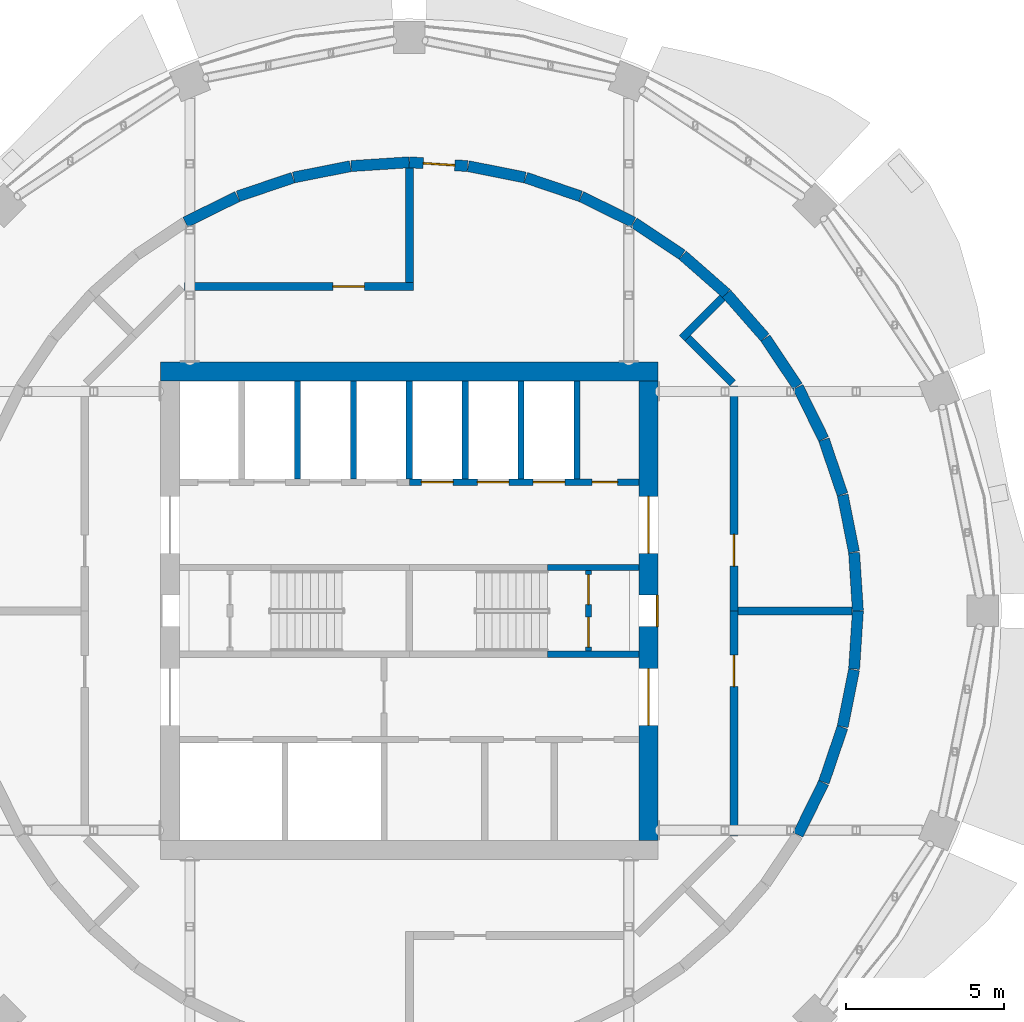
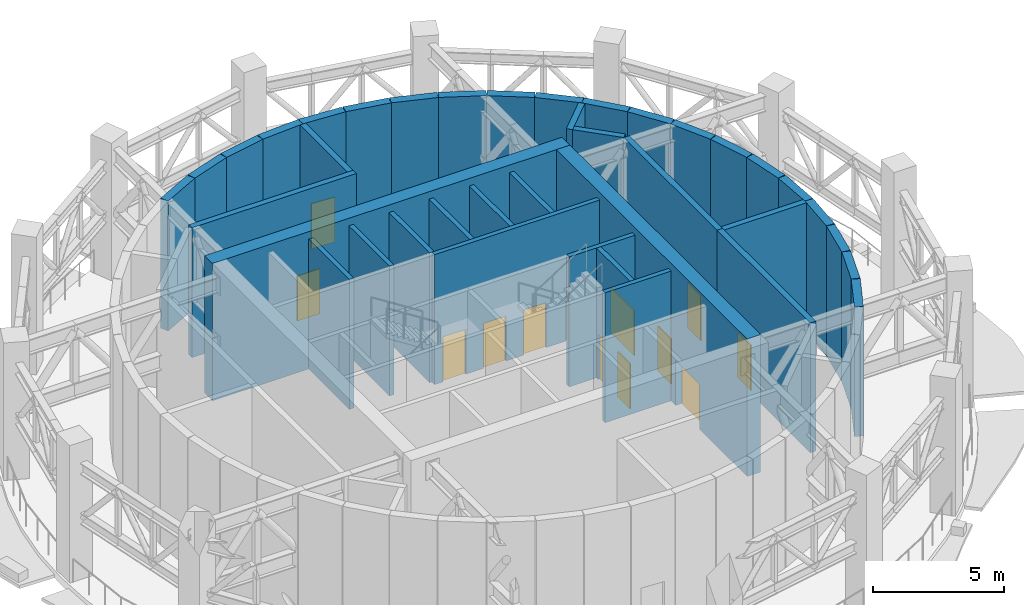
# One storey, part 9 of 14: 39 walls, 13 doors, 13 openings.
"""IFC4 building model written with IfcOpenShell, lengths in metres."""

from ifc_helpers import new_model, si_unit, direction, frame, frame_2d, origin, place, context, subcontext, project, spatial, rectangle, extrude, material, layer, layer_set, type_object, element, fill, save


model = new_model("IFC4")

# Units and contexts
model_context = context("Model", 3, precision=1e-05, world=origin(), true_north=direction((0.0, 1.0)))
body_context = subcontext(model_context, "Body", "Model", "MODEL_VIEW")
ifc_project = project(units=[si_unit("LENGTHUNIT", "METRE"), si_unit("AREAUNIT", "SQUARE_METRE"), si_unit("VOLUMEUNIT", "CUBIC_METRE"), si_unit("PLANEANGLEUNIT", "RADIAN"), si_unit("MASSUNIT", "GRAM", prefix="KILO")], contexts=[model_context])

# Site, building, storey
site_placement = place(None, origin())
site = spatial("IfcSite", under=ifc_project, at=site_placement, CompositionType="ELEMENT")
building_placement = place(site_placement, origin())
building = spatial("IfcBuilding", under=site, at=building_placement, Name="Polderwave Tower", CompositionType="ELEMENT")
storey_placement = place(building_placement, frame((0.0, 0.0, 161.14990234375)))
storey = spatial("IfcBuildingStorey", under=building, at=storey_placement, Name="L43", CompositionType="ELEMENT", Elevation=161.14990234375)

# Wall
ifc_material_1 = material(Name="Concrete C60/75", Category="concrete")
ifc_layer_1 = layer(ifc_material_1, 0.60009765625)
ifc_layer_set_1 = layer_set([ifc_layer_1], Name="CORE WALL 600 C60/75")
wall_type_1 = type_object("IfcWallType", Name="CORE WALL 600 C60/75", PredefinedType="SHEAR", material=ifc_layer_set_1)
wall_1_placement = place(storey_placement, frame((-7.8740234375, 7.573974609375, 0.0), z_axis=(0.0, 0.0, 1.0), x_axis=(1.0, 0.0, 0.0)))
element("IfcWall", 1, at=wall_1_placement, inside=storey, type_object=wall_type_1, Name="ST-CORE-L43-N", PredefinedType="SHEAR", context=body_context, shape_type="SweptSolid", body=[
    extrude(rectangle(XDim=15.748046875, YDim=0.60009765625, at=frame_2d((7.8740234375, 0.0))), origin(), (0.0, 0.0, 1.0), 6.400146484375),
])

# Wall, openings, doors
wall_2_placement = place(storey_placement, frame((7.573974609375, -7.27392578125, 0.0), z_axis=(0.0, 0.0, 1.0), x_axis=(0.0, 1.0, 0.0)))
wall_2 = element("IfcWall", 2, at=wall_2_placement, inside=storey, type_object=wall_type_1, Name="ST-CORE-L43-E", PredefinedType="SHEAR", context=body_context, shape_type="SweptSolid", body=[
    extrude(rectangle(XDim=14.5478515625, YDim=0.60009765625, at=frame_2d((7.27392578125, 0.0))), origin(), (0.0, 0.0, 1.0), 6.400146484375),
])
opening_1_placement = place(wall_2_placement, frame((6.77392578125, 0.0, 0.0)))
opening_1 = element("IfcOpeningElement", 3, at=opening_1_placement, cuts=wall_2, Name="Opening L43-D22", PredefinedType="OPENING", context=body_context, shape_type="SweptSolid", body=[
    extrude(rectangle(XDim=1.0, YDim=2.10009765625, at=frame_2d((0.5, 1.050048828125))), frame((0.0, 0.31005859375, 0.0), z_axis=(0.0, -1.0, 0.0), x_axis=(1.0, 0.0, 0.0)), (0.0, 0.0, 1.0), 0.6201171875),
])
opening_2_placement = place(wall_2_placement, frame((3.6494140625, 0.0, 0.0)))
opening_2 = element("IfcOpeningElement", 4, at=opening_2_placement, cuts=wall_2, Name="Opening L43-D23", PredefinedType="OPENING", context=body_context, shape_type="SweptSolid", body=[
    extrude(rectangle(XDim=1.800048828125, YDim=2.10009765625, at=frame_2d((0.89990234375, 1.050048828125))), frame((0.0, 0.31005859375, 0.0), z_axis=(0.0, -1.0, 0.0), x_axis=(1.0, 0.0, 0.0)), (0.0, 0.0, 1.0), 0.6201171875),
])
opening_3_placement = place(wall_2_placement, frame((9.098388671875, 0.0, 0.0)))
opening_3 = element("IfcOpeningElement", 5, at=opening_3_placement, cuts=wall_2, Name="Opening L43-D24", PredefinedType="OPENING", context=body_context, shape_type="SweptSolid", body=[
    extrude(rectangle(XDim=1.800048828125, YDim=2.10009765625, at=frame_2d((0.89990234375, 1.050048828125))), frame((0.0, 0.31005859375, 0.0), z_axis=(0.0, -1.0, 0.0), x_axis=(1.0, 0.0, 0.0)), (0.0, 0.0, 1.0), 0.6201171875),
])
ifc_material_2 = material(Name="Steel fire door", Category="steel")
door_type_1 = type_object("IfcDoorType", Name="Lobby entry door pair 1800", OperationType="DOUBLE_DOOR_SINGLE_SWING", PredefinedType="DOOR", material=ifc_material_2)
door_1_placement = place(opening_2_placement, frame((1.800048828125, 0.0, 0.0), z_axis=(0.0, 0.0, 1.0), x_axis=(-1.0, 0.0, 0.0)))
door_1 = element("IfcDoor", 6, at=door_1_placement, inside=storey, type_object=door_type_1, Name="South lobby entry door", OperationType="DOUBLE_DOOR_SINGLE_SWING", OverallHeight=2.10009765625, OverallWidth=1.800048828125, PredefinedType="DOOR", context=body_context, shape_type="SweptSolid", body=[
    extrude(rectangle(XDim=1.800048828125, YDim=2.10009765625, at=frame_2d((0.89990234375, 1.050048828125))), frame((0.0, 0.02490234375, 0.0), z_axis=(0.0, -1.0, 0.0), x_axis=(1.0, 0.0, 0.0)), (0.0, 0.0, 1.0), 0.050048828125),
])
fill(opening_2, door_1)
door_2_placement = place(opening_3_placement, frame((1.800048828125, 0.0, 0.0), z_axis=(0.0, 0.0, 1.0), x_axis=(-1.0, 0.0, 0.0)))
door_2 = element("IfcDoor", 7, at=door_2_placement, inside=storey, type_object=door_type_1, Name="North lobby entry door", OperationType="DOUBLE_DOOR_SINGLE_SWING", OverallHeight=2.10009765625, OverallWidth=1.800048828125, PredefinedType="DOOR", context=body_context, shape_type="SweptSolid", body=[
    extrude(rectangle(XDim=1.800048828125, YDim=2.10009765625, at=frame_2d((0.89990234375, 1.050048828125))), frame((0.0, 0.02490234375, 0.0), z_axis=(0.0, -1.0, 0.0), x_axis=(1.0, 0.0, 0.0)), (0.0, 0.0, 1.0), 0.050048828125),
])
fill(opening_3, door_2)
door_type_2 = type_object("IfcDoorType", Name="Stair door 1000", OperationType="NOTDEFINED", PredefinedType="DOOR", material=ifc_material_2)
door_3_placement = place(opening_1_placement, frame((1.0, 0.0, 0.0), z_axis=(0.0, 0.0, 1.0), x_axis=(-1.0, 0.0, 0.0)))
door_3 = element("IfcDoor", 8, at=door_3_placement, inside=storey, type_object=door_type_2, Name="Stair B entry door", OperationType="SINGLE_SWING_LEFT", OverallHeight=2.10009765625, OverallWidth=1.0, PredefinedType="DOOR", context=body_context, shape_type="SweptSolid", body=[
    extrude(rectangle(XDim=1.0, YDim=2.10009765625, at=frame_2d((0.5, 1.050048828125))), frame((0.0, 0.2998046875, 0.0), z_axis=(0.0, -1.0, 0.0), x_axis=(1.0, 0.0, 0.0)), (0.0, 0.0, 1.0), 0.050048828125),
])
fill(opening_1, door_3)

ifc_material_3 = material(Name="Gypsum board partition")
ifc_layer_2 = layer(ifc_material_3, 0.199951171875)
ifc_layer_set_2 = layer_set([ifc_layer_2], Name="Core room partition 200")
wall_type_2 = type_object("IfcWallType", Name="Core room partition 200", PredefinedType="PARTITIONING", material=ifc_layer_set_2)
wall_3_placement = place(storey_placement, frame((5.674072265625, -1.27490234375, 0.0), z_axis=(0.0, 0.0, 1.0), x_axis=(0.0, 1.0, 0.0)))
wall_3 = element("IfcWall", 9, at=wall_3_placement, inside=storey, type_object=wall_type_2, Name="L43 smoke lobby wall B", PredefinedType="PARTITIONING", context=body_context, shape_type="SweptSolid", body=[
    extrude(rectangle(XDim=2.5498046875, YDim=0.199951171875, at=frame_2d((1.27490234375, 0.0))), origin(), (0.0, 0.0, 1.0), 6.050048828125),
])
opening_4_placement = place(wall_3_placement, frame((0.125, 0.0, 0.0)))
opening_4 = element("IfcOpeningElement", 10, at=opening_4_placement, cuts=wall_3, Name="Opening L43-D12", PredefinedType="OPENING", context=body_context, shape_type="SweptSolid", body=[
    extrude(rectangle(XDim=0.949951171875, YDim=2.10009765625, at=frame_2d((0.47509765625, 1.050048828125))), frame((0.0, 0.10986328125, 0.0), z_axis=(0.0, -1.0, 0.0), x_axis=(1.0, 0.0, 0.0)), (0.0, 0.0, 1.0), 0.219970703125),
])
opening_5_placement = place(wall_3_placement, frame((1.47509765625, 0.0, 0.0)))
opening_5 = element("IfcOpeningElement", 11, at=opening_5_placement, cuts=wall_3, Name="Opening L43-D13", PredefinedType="OPENING", context=body_context, shape_type="SweptSolid", body=[
    extrude(rectangle(XDim=0.949951171875, YDim=2.10009765625, at=frame_2d((0.47509765625, 1.050048828125))), frame((0.0, 0.10986328125, 0.0), z_axis=(0.0, -1.0, 0.0), x_axis=(1.0, 0.0, 0.0)), (0.0, 0.0, 1.0), 0.219970703125),
])
door_type_3 = type_object("IfcDoorType", Name="Smoke lobby door 950", OperationType="NOTDEFINED", PredefinedType="DOOR", material=ifc_material_2)
door_4_placement = place(opening_4_placement, frame((0.949951171875, 0.0, 0.0), z_axis=(0.0, 0.0, 1.0), x_axis=(-1.0, 0.0, 0.0)))
door_4 = element("IfcDoor", 12, at=door_4_placement, inside=storey, type_object=door_type_3, Name="Stair B smoke lobby inner door", OperationType="SINGLE_SWING_RIGHT", OverallHeight=2.10009765625, OverallWidth=0.949951171875, PredefinedType="DOOR", context=body_context, shape_type="SweptSolid", body=[
    extrude(rectangle(XDim=0.949951171875, YDim=2.10009765625, at=frame_2d((0.47509765625, 1.050048828125))), frame((0.0, 0.02490234375, 0.0), z_axis=(0.0, -1.0, 0.0), x_axis=(1.0, 0.0, 0.0)), (0.0, 0.0, 1.0), 0.050048828125),
])
fill(opening_4, door_4)
door_5_placement = place(opening_5_placement, frame((0.949951171875, 0.0, 0.0), z_axis=(0.0, 0.0, 1.0), x_axis=(-1.0, 0.0, 0.0)))
door_5 = element("IfcDoor", 13, at=door_5_placement, inside=storey, type_object=door_type_3, Name="Stair B smoke lobby inner door", OperationType="SINGLE_SWING_LEFT", OverallHeight=2.10009765625, OverallWidth=0.949951171875, PredefinedType="DOOR", context=body_context, shape_type="SweptSolid", body=[
    extrude(rectangle(XDim=0.949951171875, YDim=2.10009765625, at=frame_2d((0.47509765625, 1.050048828125))), frame((0.0, 0.02490234375, 0.0), z_axis=(0.0, -1.0, 0.0), x_axis=(1.0, 0.0, 0.0)), (0.0, 0.0, 1.0), 0.050048828125),
])
fill(opening_5, door_5)

ifc_material_4 = material(Name="Concrete C50/60", Category="concrete")
ifc_layer_3 = layer(ifc_material_4, 0.199951171875)
ifc_layer_set_3 = layer_set([ifc_layer_3], Name="Core web wall 200")
wall_type_3 = type_object("IfcWallType", Name="Core web wall 200", PredefinedType="SHEAR", material=ifc_layer_set_3)
wall_4_placement = place(storey_placement, frame((0.0, 4.073974609375, 0.0), z_axis=(0.0, 0.0, 1.0), x_axis=(1.0, 0.0, 0.0)))
wall_4 = element("IfcWall", 14, at=wall_4_placement, inside=storey, type_object=wall_type_3, Name="L43 north front wall 2", PredefinedType="SHEAR", context=body_context, shape_type="SweptSolid", body=[
    extrude(rectangle(XDim=7.27392578125, YDim=0.199951171875, at=frame_2d((3.636962890625, 0.0))), origin(), (0.0, 0.0, 1.0), 6.050048828125),
])
opening_6_placement = place(wall_4_placement, frame((0.38427734375, 0.0, 0.0)))
opening_6 = element("IfcOpeningElement", 15, at=opening_6_placement, cuts=wall_4, Name="Opening L43-D07", PredefinedType="OPENING", context=body_context, shape_type="SweptSolid", body=[
    extrude(rectangle(XDim=1.0, YDim=2.10009765625, at=frame_2d((0.5, 1.050048828125))), frame((0.0, 0.10986328125, 0.0), z_axis=(0.0, -1.0, 0.0), x_axis=(1.0, 0.0, 0.0)), (0.0, 0.0, 1.0), 0.219970703125),
])
opening_7_placement = place(wall_4_placement, frame((2.15283203125, 0.0, 0.0)))
opening_7 = element("IfcOpeningElement", 16, at=opening_7_placement, cuts=wall_4, Name="Opening L43-D08", PredefinedType="OPENING", context=body_context, shape_type="SweptSolid", body=[
    extrude(rectangle(XDim=1.0, YDim=2.10009765625, at=frame_2d((0.5, 1.050048828125))), frame((0.0, 0.10986328125, 0.0), z_axis=(0.0, -1.0, 0.0), x_axis=(1.0, 0.0, 0.0)), (0.0, 0.0, 1.0), 0.219970703125),
])
opening_8_placement = place(wall_4_placement, frame((3.921142578125, 0.0, 0.0)))
opening_8 = element("IfcOpeningElement", 17, at=opening_8_placement, cuts=wall_4, Name="Opening L43-D09", PredefinedType="OPENING", context=body_context, shape_type="SweptSolid", body=[
    extrude(rectangle(XDim=1.0, YDim=2.10009765625, at=frame_2d((0.5, 1.050048828125))), frame((0.0, 0.10986328125, 0.0), z_axis=(0.0, -1.0, 0.0), x_axis=(1.0, 0.0, 0.0)), (0.0, 0.0, 1.0), 0.219970703125),
])
opening_9_placement = place(wall_4_placement, frame((5.789794921875, 0.0, 0.0)))
opening_9 = element("IfcOpeningElement", 18, at=opening_9_placement, cuts=wall_4, Name="Opening L43-D18", PredefinedType="OPENING", context=body_context, shape_type="SweptSolid", body=[
    extrude(rectangle(XDim=0.800048828125, YDim=2.10009765625, at=frame_2d((0.39990234375, 1.050048828125))), frame((0.0, 0.10986328125, 0.0), z_axis=(0.0, -1.0, 0.0), x_axis=(1.0, 0.0, 0.0)), (0.0, 0.0, 1.0), 0.219970703125),
])
ifc_material_5 = material(Name="Stainless steel", Category="steel")
door_type_4 = type_object("IfcDoorType", Name="Lift landing door 1000", OperationType="DOUBLE_DOOR_SLIDING", PredefinedType="DOOR", material=ifc_material_5)
door_6_placement = place(opening_6_placement, frame((1.0, 0.0, 0.0), z_axis=(0.0, 0.0, 1.0), x_axis=(-1.0, 0.0, 0.0)))
door_6 = element("IfcDoor", 19, at=door_6_placement, inside=storey, type_object=door_type_4, Name="Lift HL5 landing door", OperationType="DOUBLE_DOOR_SLIDING", OverallHeight=2.10009765625, OverallWidth=1.0, PredefinedType="DOOR", context=body_context, shape_type="SweptSolid", body=[
    extrude(rectangle(XDim=1.0, YDim=2.10009765625, at=frame_2d((0.5, 1.050048828125))), frame((0.0, 0.02490234375, 0.0), z_axis=(0.0, -1.0, 0.0), x_axis=(1.0, 0.0, 0.0)), (0.0, 0.0, 1.0), 0.050048828125),
])
fill(opening_6, door_6)
door_7_placement = place(opening_7_placement, frame((1.0, 0.0, 0.0), z_axis=(0.0, 0.0, 1.0), x_axis=(-1.0, 0.0, 0.0)))
door_7 = element("IfcDoor", 20, at=door_7_placement, inside=storey, type_object=door_type_4, Name="Lift HL6 landing door", OperationType="DOUBLE_DOOR_SLIDING", OverallHeight=2.10009765625, OverallWidth=1.0, PredefinedType="DOOR", context=body_context, shape_type="SweptSolid", body=[
    extrude(rectangle(XDim=1.0, YDim=2.10009765625, at=frame_2d((0.5, 1.050048828125))), frame((0.0, 0.02490234375, 0.0), z_axis=(0.0, -1.0, 0.0), x_axis=(1.0, 0.0, 0.0)), (0.0, 0.0, 1.0), 0.050048828125),
])
fill(opening_7, door_7)
door_8_placement = place(opening_8_placement, frame((1.0, 0.0, 0.0), z_axis=(0.0, 0.0, 1.0), x_axis=(-1.0, 0.0, 0.0)))
door_8 = element("IfcDoor", 21, at=door_8_placement, inside=storey, type_object=door_type_4, Name="Lift HL7 landing door", OperationType="DOUBLE_DOOR_SLIDING", OverallHeight=2.10009765625, OverallWidth=1.0, PredefinedType="DOOR", context=body_context, shape_type="SweptSolid", body=[
    extrude(rectangle(XDim=1.0, YDim=2.10009765625, at=frame_2d((0.5, 1.050048828125))), frame((0.0, 0.02490234375, 0.0), z_axis=(0.0, -1.0, 0.0), x_axis=(1.0, 0.0, 0.0)), (0.0, 0.0, 1.0), 0.050048828125),
])
fill(opening_8, door_8)
door_type_5 = type_object("IfcDoorType", Name="Riser door 800", OperationType="NOTDEFINED", PredefinedType="DOOR", material=ifc_material_2)
door_9_placement = place(opening_9_placement, frame((0.800048828125, 0.0, 0.0), z_axis=(0.0, 0.0, 1.0), x_axis=(-1.0, 0.0, 0.0)))
door_9 = element("IfcDoor", 22, at=door_9_placement, inside=storey, type_object=door_type_5, Name="Riser door", OperationType="SINGLE_SWING_LEFT", OverallHeight=2.10009765625, OverallWidth=0.800048828125, PredefinedType="DOOR", context=body_context, shape_type="SweptSolid", body=[
    extrude(rectangle(XDim=0.800048828125, YDim=2.10009765625, at=frame_2d((0.39990234375, 1.050048828125))), frame((0.0, 0.02490234375, 0.0), z_axis=(0.0, -1.0, 0.0), x_axis=(1.0, 0.0, 0.0)), (0.0, 0.0, 1.0), 0.050048828125),
])
fill(opening_9, door_9)

# Walls
for number, where, z_axis, x_axis, name in (
    (23, (4.3740234375, -1.375, 0.0), (0.0, 0.0, 1.0), (1.0, 0.0, 0.0), "L43 south stair wall 4"),
    (24, (4.3740234375, 1.375, 0.0), (0.0, 0.0, 1.0), (1.0, 0.0, 0.0), "L43 north stair wall 4"),
):
    element("IfcWall", number, at=place(storey_placement, frame(where, z_axis=z_axis, x_axis=x_axis)), inside=storey, type_object=wall_type_3, Name=name, PredefinedType="SHEAR", context=body_context, shape_type="SweptSolid", body=[
        extrude(rectangle(XDim=2.89990234375, YDim=0.199951171875, at=frame_2d((1.449951171875, 0.0))), origin(), (0.0, 0.0, 1.0), 6.050048828125),
    ])
ifc_material_6 = material(Name="Insulated metal rainscreen on fire-resisting board")
ifc_layer_4 = layer(ifc_material_6, 0.35009765625)
ifc_layer_set_4 = layer_set([ifc_layer_4], Name="Plant enclosure wall 350 mm EI 120")
wall_type_4 = type_object("IfcWallType", Name="Plant enclosure wall 350 mm EI 120", PredefinedType="PARTITIONING", material=ifc_layer_set_4)
wall_5_placement = place(storey_placement, frame((10.041015625, 10.041015625, 0.0), z_axis=(0.0, 0.0, 1.0), x_axis=(0.65930012123, -0.751879877471, 0.0)))
element("IfcWall", 25, at=wall_5_placement, inside=storey, type_object=wall_type_4, Name="IN-L43-W013", PredefinedType="PARTITIONING", context=body_context, shape_type="SweptSolid", body=[
    extrude(rectangle(XDim=1.845947265625, YDim=0.35009765625, at=frame_2d((0.9228515625, 0.0))), origin(), (0.0, 0.0, 1.0), 6.050048828125),
])
wall_6_placement = place(storey_placement, frame((11.27197265625, 8.635009765625, 0.0), z_axis=(0.0, 0.0, 1.0), x_axis=(0.555590461072, -0.831456095994, 0.0)))
element("IfcWall", 26, at=wall_6_placement, inside=storey, type_object=wall_type_4, Name="IN-L43-W014", PredefinedType="PARTITIONING", context=body_context, shape_type="SweptSolid", body=[
    extrude(rectangle(XDim=1.834716796875, YDim=0.35009765625, at=frame_2d((0.91748046875, 0.0))), origin(), (0.0, 0.0, 1.0), 6.050048828125),
])
for number, where, z_axis, x_axis, name in (
    (27, (12.302734375, 7.089599609375, 0.0), (0.0, 0.0, 1.0), (0.442255821409, -0.896888949887, 0.0), "IN-L43-W015"),
    (28, (13.122802734375, 5.423095703125, 0.0), (0.0, 0.0, 1.0), (0.321413562404, -0.946938921949, 0.0), "IN-L43-W016"),
):
    element("IfcWall", number, at=place(storey_placement, frame(where, z_axis=z_axis, x_axis=x_axis)), inside=storey, type_object=wall_type_4, Name=name, PredefinedType="PARTITIONING", context=body_context, shape_type="SweptSolid", body=[
        extrude(rectangle(XDim=1.83447265625, YDim=0.35009765625, at=frame_2d((0.917236328125, 0.0))), origin(), (0.0, 0.0, 1.0), 6.050048828125),
    ])
wall_7_placement = place(storey_placement, frame((13.71826171875, 3.6640625, 0.0), z_axis=(0.0, 0.0, 1.0), x_axis=(0.195220359262, -0.980759405425, 0.0)))
element("IfcWall", 29, at=wall_7_placement, inside=storey, type_object=wall_type_4, Name="IN-L43-W017", PredefinedType="PARTITIONING", context=body_context, shape_type="SweptSolid", body=[
    extrude(rectangle(XDim=1.834716796875, YDim=0.35009765625, at=frame_2d((0.91748046875, 0.0))), origin(), (0.0, 0.0, 1.0), 6.050048828125),
])
wall_8_placement = place(storey_placement, frame((14.079345703125, 1.842041015625, 0.0), z_axis=(0.0, 0.0, 1.0), x_axis=(0.065333936019, -0.997863455992, 0.0)))
element("IfcWall", 30, at=wall_8_placement, inside=storey, type_object=wall_type_4, Name="IN-L43-W018", PredefinedType="PARTITIONING", context=body_context, shape_type="SweptSolid", body=[
    extrude(rectangle(XDim=1.845947265625, YDim=0.35009765625, at=frame_2d((0.9228515625, 0.0))), origin(), (0.0, 0.0, 1.0), 6.050048828125),
])

# Wall, opening, door
wall_9_placement = place(storey_placement, frame((1.842041015625, 14.079345703125, 0.0), z_axis=(0.0, 0.0, 1.0), x_axis=(-0.997863455992, 0.065333936019, 0.0)))
wall_9 = element("IfcWall", 31, at=wall_9_placement, inside=storey, type_object=wall_type_4, Name="IN-L43-W021", PredefinedType="PARTITIONING", context=body_context, shape_type="SweptSolid", body=[
    extrude(rectangle(XDim=1.845947265625, YDim=0.35009765625, at=frame_2d((0.9228515625, 0.0))), origin(), (0.0, 0.0, 1.0), 6.050048828125),
])
opening_10_placement = place(wall_9_placement, frame((0.39990234375, 0.0, 0.0)))
opening_10 = element("IfcOpeningElement", 32, at=opening_10_placement, cuts=wall_9, Name="Opening L43-D56", PredefinedType="OPENING", context=body_context, shape_type="SweptSolid", body=[
    extrude(rectangle(XDim=1.0, YDim=2.10009765625, at=frame_2d((0.5, 1.050048828125))), frame((0.0, 0.18505859375, 0.0), z_axis=(0.0, -1.0, 0.0), x_axis=(1.0, 0.0, 0.0)), (0.0, 0.0, 1.0), 0.3701171875),
])
ifc_material_7 = material(Name="Steel plant door leaf", Category="steel")
door_type_6 = type_object("IfcDoorType", Name="Plant door FD60 1000 x 2100 steel", OperationType="NOTDEFINED", PredefinedType="DOOR", material=ifc_material_7)
door_10_placement = place(opening_10_placement, origin())
door_10 = element("IfcDoor", 33, at=door_10_placement, inside=storey, type_object=door_type_6, Name="Door L43-D56", OperationType="SINGLE_SWING_LEFT", OverallHeight=2.10009765625, OverallWidth=1.0, PredefinedType="DOOR", context=body_context, shape_type="SweptSolid", body=[
    extrude(rectangle(XDim=1.0, YDim=2.10009765625, at=frame_2d((0.5, 1.050048828125))), frame((0.0, 0.02490234375, 0.0), z_axis=(0.0, -1.0, 0.0), x_axis=(1.0, 0.0, 0.0)), (0.0, 0.0, 1.0), 0.050048828125),
])
fill(opening_10, door_10)

# Walls
wall_10_placement = place(storey_placement, frame((1.86474609375, 14.076416015625, 0.0), z_axis=(0.0, 0.0, 1.0), x_axis=(0.980759405425, -0.195220359262, 0.0)))
element("IfcWall", 34, at=wall_10_placement, inside=storey, type_object=wall_type_4, Name="IN-L43-W022", PredefinedType="PARTITIONING", context=body_context, shape_type="SweptSolid", body=[
    extrude(rectangle(XDim=1.834716796875, YDim=0.35009765625, at=frame_2d((0.91748046875, 0.0))), origin(), (0.0, 0.0, 1.0), 6.050048828125),
])
for number, where, z_axis, x_axis, name in (
    (35, (3.68603515625, 13.71240234375, 0.0), (0.0, 0.0, 1.0), (0.946938921949, -0.321413562404, 0.0), "IN-L43-W023"),
    (36, (5.4443359375, 13.114013671875, 0.0), (0.0, 0.0, 1.0), (0.896888949887, -0.442255821409, 0.0), "IN-L43-W024"),
):
    element("IfcWall", number, at=place(storey_placement, frame(where, z_axis=z_axis, x_axis=x_axis)), inside=storey, type_object=wall_type_4, Name=name, PredefinedType="PARTITIONING", context=body_context, shape_type="SweptSolid", body=[
        extrude(rectangle(XDim=1.83447265625, YDim=0.35009765625, at=frame_2d((0.917236328125, 0.0))), origin(), (0.0, 0.0, 1.0), 6.050048828125),
    ])
wall_11_placement = place(storey_placement, frame((7.109619140625, 12.291259765625, 0.0), z_axis=(0.0, 0.0, 1.0), x_axis=(0.831456095994, -0.555590461072, 0.0)))
element("IfcWall", 37, at=wall_11_placement, inside=storey, type_object=wall_type_4, Name="IN-L43-W025", PredefinedType="PARTITIONING", context=body_context, shape_type="SweptSolid", body=[
    extrude(rectangle(XDim=1.834716796875, YDim=0.35009765625, at=frame_2d((0.91748046875, 0.0))), origin(), (0.0, 0.0, 1.0), 6.050048828125),
])
wall_12_placement = place(storey_placement, frame((8.653076171875, 11.258056640625, 0.0), z_axis=(0.0, 0.0, 1.0), x_axis=(0.751879877471, -0.65930012123, 0.0)))
element("IfcWall", 38, at=wall_12_placement, inside=storey, type_object=wall_type_4, Name="IN-L43-W026", PredefinedType="PARTITIONING", context=body_context, shape_type="SweptSolid", body=[
    extrude(rectangle(XDim=1.845947265625, YDim=0.35009765625, at=frame_2d((0.9228515625, 0.0))), origin(), (0.0, 0.0, 1.0), 6.050048828125),
])
for number, where, z_axis, x_axis, name in (
    (39, (-7.089599609375, 12.302734375, 0.0), (0.0, 0.0, 1.0), (0.896888949887, 0.442255821409, 0.0), "IN-L43-W030"),
    (40, (-5.423095703125, 13.122802734375, 0.0), (0.0, 0.0, 1.0), (0.946938921949, 0.321413562404, 0.0), "IN-L43-W031"),
):
    element("IfcWall", number, at=place(storey_placement, frame(where, z_axis=z_axis, x_axis=x_axis)), inside=storey, type_object=wall_type_4, Name=name, PredefinedType="PARTITIONING", context=body_context, shape_type="SweptSolid", body=[
        extrude(rectangle(XDim=1.83447265625, YDim=0.35009765625, at=frame_2d((0.917236328125, 0.0))), origin(), (0.0, 0.0, 1.0), 6.050048828125),
    ])
wall_13_placement = place(storey_placement, frame((-3.6640625, 13.71826171875, 0.0), z_axis=(0.0, 0.0, 1.0), x_axis=(0.980759405425, 0.195220359262, 0.0)))
element("IfcWall", 41, at=wall_13_placement, inside=storey, type_object=wall_type_4, Name="IN-L43-W032", PredefinedType="PARTITIONING", context=body_context, shape_type="SweptSolid", body=[
    extrude(rectangle(XDim=1.834716796875, YDim=0.35009765625, at=frame_2d((0.91748046875, 0.0))), origin(), (0.0, 0.0, 1.0), 6.050048828125),
])
wall_14_placement = place(storey_placement, frame((-1.842041015625, 14.079345703125, 0.0), z_axis=(0.0, 0.0, 1.0), x_axis=(0.997863455992, 0.065333936019, 0.0)))
element("IfcWall", 42, at=wall_14_placement, inside=storey, type_object=wall_type_4, Name="IN-L43-W033", PredefinedType="PARTITIONING", context=body_context, shape_type="SweptSolid", body=[
    extrude(rectangle(XDim=1.845947265625, YDim=0.35009765625, at=frame_2d((0.9228515625, 0.0))), origin(), (0.0, 0.0, 1.0), 6.050048828125),
])
for number, where, z_axis, x_axis, name in (
    (43, (13.114013671875, -5.4443359375, 0.0), (0.0, 0.0, 1.0), (-0.442255821409, -0.896888949887, 0.0), "IN-L43-W065"),
    (44, (13.71240234375, -3.68603515625, 0.0), (0.0, 0.0, 1.0), (-0.321413562404, -0.946938921949, 0.0), "IN-L43-W066"),
):
    element("IfcWall", number, at=place(storey_placement, frame(where, z_axis=z_axis, x_axis=x_axis)), inside=storey, type_object=wall_type_4, Name=name, PredefinedType="PARTITIONING", context=body_context, shape_type="SweptSolid", body=[
        extrude(rectangle(XDim=1.83447265625, YDim=0.35009765625, at=frame_2d((0.917236328125, 0.0))), origin(), (0.0, 0.0, 1.0), 6.050048828125),
    ])
wall_15_placement = place(storey_placement, frame((14.076416015625, -1.86474609375, 0.0), z_axis=(0.0, 0.0, 1.0), x_axis=(-0.195220359262, -0.980759405425, 0.0)))
element("IfcWall", 45, at=wall_15_placement, inside=storey, type_object=wall_type_4, Name="IN-L43-W067", PredefinedType="PARTITIONING", context=body_context, shape_type="SweptSolid", body=[
    extrude(rectangle(XDim=1.834716796875, YDim=0.35009765625, at=frame_2d((0.91748046875, 0.0))), origin(), (0.0, 0.0, 1.0), 6.050048828125),
])
wall_16_placement = place(storey_placement, frame((14.199951171875, 0.0, 0.0), z_axis=(0.0, 0.0, 1.0), x_axis=(-0.065333936019, -0.997863455992, 0.0)))
element("IfcWall", 46, at=wall_16_placement, inside=storey, type_object=wall_type_4, Name="IN-L43-W068", PredefinedType="PARTITIONING", context=body_context, shape_type="SweptSolid", body=[
    extrude(rectangle(XDim=1.845947265625, YDim=0.35009765625, at=frame_2d((0.9228515625, 0.0))), origin(), (0.0, 0.0, 1.0), 6.050048828125),
])
ifc_material_8 = material(Name="Fire-resisting board on steel studs, mineral wool", Category="steel")
ifc_layer_5 = layer(ifc_material_8, 0.25)
ifc_layer_set_5 = layer_set([ifc_layer_5], Name="Plant room wall 250 mm EI 120")
wall_type_5 = type_object("IfcWallType", Name="Plant room wall 250 mm EI 120", PredefinedType="PARTITIONING", material=ifc_layer_set_5)
wall_17_placement = place(storey_placement, frame((8.810791015625, 8.634033203125, 0.0), z_axis=(0.0, 0.0, 1.0), x_axis=(0.707167292656, -0.707046264538, 0.0)))
element("IfcWall", 47, at=wall_17_placement, inside=storey, type_object=wall_type_5, Name="IN-L43-W001", PredefinedType="PARTITIONING", context=body_context, shape_type="SweptSolid", body=[
    extrude(rectangle(XDim=2.017333984375, YDim=0.25, at=frame_2d((1.0087890625, 0.0))), origin(), (0.0, 0.0, 1.0), 6.050048828125),
])

# Wall, opening, door
wall_18_placement = place(storey_placement, frame((10.27392578125, 7.119384765625, 0.0), z_axis=(0.0, 0.0, 1.0), x_axis=(0.0, -1.0, 0.0)))
wall_18 = element("IfcWall", 48, at=wall_18_placement, inside=storey, type_object=wall_type_5, Name="IN-L43-W002", PredefinedType="PARTITIONING", context=body_context, shape_type="SweptSolid", body=[
    extrude(rectangle(XDim=7.119384765625, YDim=0.25, at=frame_2d((3.5595703125, 0.0))), origin(), (0.0, 0.0, 1.0), 6.050048828125),
])
opening_11_placement = place(wall_18_placement, frame((4.699951171875, 0.0, 0.0)))
opening_11 = element("IfcOpeningElement", 49, at=opening_11_placement, cuts=wall_18, Name="Opening L43-D50", PredefinedType="OPENING", context=body_context, shape_type="SweptSolid", body=[
    extrude(rectangle(XDim=1.0, YDim=2.10009765625, at=frame_2d((0.5, 1.050048828125))), frame((0.0, 0.135009765625, 0.0), z_axis=(0.0, -1.0, 0.0), x_axis=(1.0, 0.0, 0.0)), (0.0, 0.0, 1.0), 0.27001953125),
])
door_11_placement = place(opening_11_placement, origin())
door_11 = element("IfcDoor", 50, at=door_11_placement, inside=storey, type_object=door_type_6, Name="Door L43-D50", OperationType="SINGLE_SWING_RIGHT", OverallHeight=2.10009765625, OverallWidth=1.0, PredefinedType="DOOR", context=body_context, shape_type="SweptSolid", body=[
    extrude(rectangle(XDim=1.0, YDim=2.10009765625, at=frame_2d((0.5, 1.050048828125))), frame((0.0, 0.02490234375, 0.0), z_axis=(0.0, -1.0, 0.0), x_axis=(1.0, 0.0, 0.0)), (0.0, 0.0, 1.0), 0.050048828125),
])
fill(opening_11, door_11)

wall_19_placement = place(storey_placement, frame((10.27392578125, 0.0, 0.0), z_axis=(0.0, 0.0, 1.0), x_axis=(0.0, -1.0, 0.0)))
wall_19 = element("IfcWall", 51, at=wall_19_placement, inside=storey, type_object=wall_type_5, Name="IN-L43-W004", PredefinedType="PARTITIONING", context=body_context, shape_type="SweptSolid", body=[
    extrude(rectangle(XDim=7.119384765625, YDim=0.25, at=frame_2d((3.5595703125, 0.0))), origin(), (0.0, 0.0, 1.0), 6.050048828125),
])
opening_12_placement = place(wall_19_placement, frame((1.39990234375, 0.0, 0.0)))
opening_12 = element("IfcOpeningElement", 52, at=opening_12_placement, cuts=wall_19, Name="Opening L43-D51", PredefinedType="OPENING", context=body_context, shape_type="SweptSolid", body=[
    extrude(rectangle(XDim=1.0, YDim=2.10009765625, at=frame_2d((0.5, 1.050048828125))), frame((0.0, 0.135009765625, 0.0), z_axis=(0.0, -1.0, 0.0), x_axis=(1.0, 0.0, 0.0)), (0.0, 0.0, 1.0), 0.27001953125),
])
door_12_placement = place(opening_12_placement, origin())
door_12 = element("IfcDoor", 53, at=door_12_placement, inside=storey, type_object=door_type_6, Name="Door L43-D51", OperationType="SINGLE_SWING_LEFT", OverallHeight=2.10009765625, OverallWidth=1.0, PredefinedType="DOOR", context=body_context, shape_type="SweptSolid", body=[
    extrude(rectangle(XDim=1.0, YDim=2.10009765625, at=frame_2d((0.5, 1.050048828125))), frame((0.0, 0.02490234375, 0.0), z_axis=(0.0, -1.0, 0.0), x_axis=(1.0, 0.0, 0.0)), (0.0, 0.0, 1.0), 0.050048828125),
])
fill(opening_12, door_12)

wall_20_placement = place(storey_placement, frame((-7.119384765625, 10.27392578125, 0.0), z_axis=(0.0, 0.0, 1.0), x_axis=(1.0, 0.0, 0.0)))
wall_20 = element("IfcWall", 54, at=wall_20_placement, inside=storey, type_object=wall_type_5, Name="IN-L43-W006", PredefinedType="PARTITIONING", context=body_context, shape_type="SweptSolid", body=[
    extrude(rectangle(XDim=7.244384765625, YDim=0.25, at=frame_2d((3.6220703125, 0.0))), origin(), (0.0, 0.0, 1.0), 6.050048828125),
])
opening_13_placement = place(wall_20_placement, frame((4.699951171875, 0.0, 0.0)))
opening_13 = element("IfcOpeningElement", 55, at=opening_13_placement, cuts=wall_20, Name="Opening L43-D52", PredefinedType="OPENING", context=body_context, shape_type="SweptSolid", body=[
    extrude(rectangle(XDim=1.0, YDim=2.10009765625, at=frame_2d((0.5, 1.050048828125))), frame((0.0, 0.135009765625, 0.0), z_axis=(0.0, -1.0, 0.0), x_axis=(1.0, 0.0, 0.0)), (0.0, 0.0, 1.0), 0.27001953125),
])
door_13_placement = place(opening_13_placement, origin())
door_13 = element("IfcDoor", 56, at=door_13_placement, inside=storey, type_object=door_type_6, Name="Door L43-D52", OperationType="SINGLE_SWING_RIGHT", OverallHeight=2.10009765625, OverallWidth=1.0, PredefinedType="DOOR", context=body_context, shape_type="SweptSolid", body=[
    extrude(rectangle(XDim=1.0, YDim=2.10009765625, at=frame_2d((0.5, 1.050048828125))), frame((0.0, 0.02490234375, 0.0), z_axis=(0.0, -1.0, 0.0), x_axis=(1.0, 0.0, 0.0)), (0.0, 0.0, 1.0), 0.050048828125),
])
fill(opening_13, door_13)

# Walls
wall_21_placement = place(storey_placement, frame((8.634033203125, 8.634033203125, 0.0), z_axis=(0.0, 0.0, 1.0), x_axis=(0.707106781187, 0.707106781187, 0.0)))
element("IfcWall", 57, at=wall_21_placement, inside=storey, type_object=wall_type_5, Name="IN-L43-W019", PredefinedType="PARTITIONING", context=body_context, shape_type="SweptSolid", body=[
    extrude(rectangle(XDim=1.80615234375, YDim=0.25, at=frame_2d((0.903076171875, 0.0))), origin(), (0.0, 0.0, 1.0), 6.050048828125),
])
for number, where, z_axis, x_axis, name in (
    (58, (14.016357421875, 0.0, 0.0), (0.0, 0.0, 1.0), (-1.0, 0.0, 0.0), "IN-L43-W020"),
    (59, (0.0, 10.39892578125, 0.0), (0.0, 0.0, 1.0), (0.0, 1.0, 0.0), "IN-L43-W027"),
):
    element("IfcWall", number, at=place(storey_placement, frame(where, z_axis=z_axis, x_axis=x_axis)), inside=storey, type_object=wall_type_5, Name=name, PredefinedType="PARTITIONING", context=body_context, shape_type="SweptSolid", body=[
        extrude(rectangle(XDim=3.617431640625, YDim=0.25, at=frame_2d((1.80859375, 0.0))), origin(), (0.0, 0.0, 1.0), 6.050048828125),
    ])
ifc_material_9 = material(Name="Gypsum shaft wall system")
ifc_layer_6 = layer(ifc_material_9, 0.199951171875)
ifc_layer_set_6 = layer_set([ifc_layer_6], Name="Shaft wall 200")
wall_type_6 = type_object("IfcWallType", Name="Shaft wall 200", PredefinedType="PARTITIONING", material=ifc_layer_set_6)
for number, where, z_axis, x_axis, name in (
    (60, (-3.537109375, 4.174072265625, 0.0), (0.0, 0.0, 1.0), (0.0, 1.0, 0.0), "L43 lift shaft wall N2"),
    (61, (-1.7685546875, 4.174072265625, 0.0), (0.0, 0.0, 1.0), (0.0, 1.0, 0.0), "L43 lift shaft wall N3"),
    (62, (0.0, 4.174072265625, 0.0), (0.0, 0.0, 1.0), (0.0, 1.0, 0.0), "L43 lift shaft wall N4"),
    (63, (1.7685546875, 4.174072265625, 0.0), (0.0, 0.0, 1.0), (0.0, 1.0, 0.0), "L43 lift shaft wall N5"),
    (64, (3.537109375, 4.174072265625, 0.0), (0.0, 0.0, 1.0), (0.0, 1.0, 0.0), "L43 lift shaft wall N6"),
    (65, (5.305419921875, 4.174072265625, 0.0), (0.0, 0.0, 1.0), (0.0, 1.0, 0.0), "L43 lift shaft wall N7"),
):
    element("IfcWall", number, at=place(storey_placement, frame(where, z_axis=z_axis, x_axis=x_axis)), inside=storey, type_object=wall_type_6, Name=name, PredefinedType="PARTITIONING", context=body_context, shape_type="SweptSolid", body=[
        extrude(rectangle(XDim=3.099853515625, YDim=0.199951171875, at=frame_2d((1.5498046875, 0.0))), origin(), (0.0, 0.0, 1.0), 6.050048828125),
    ])

save(model, "model.ifc")
